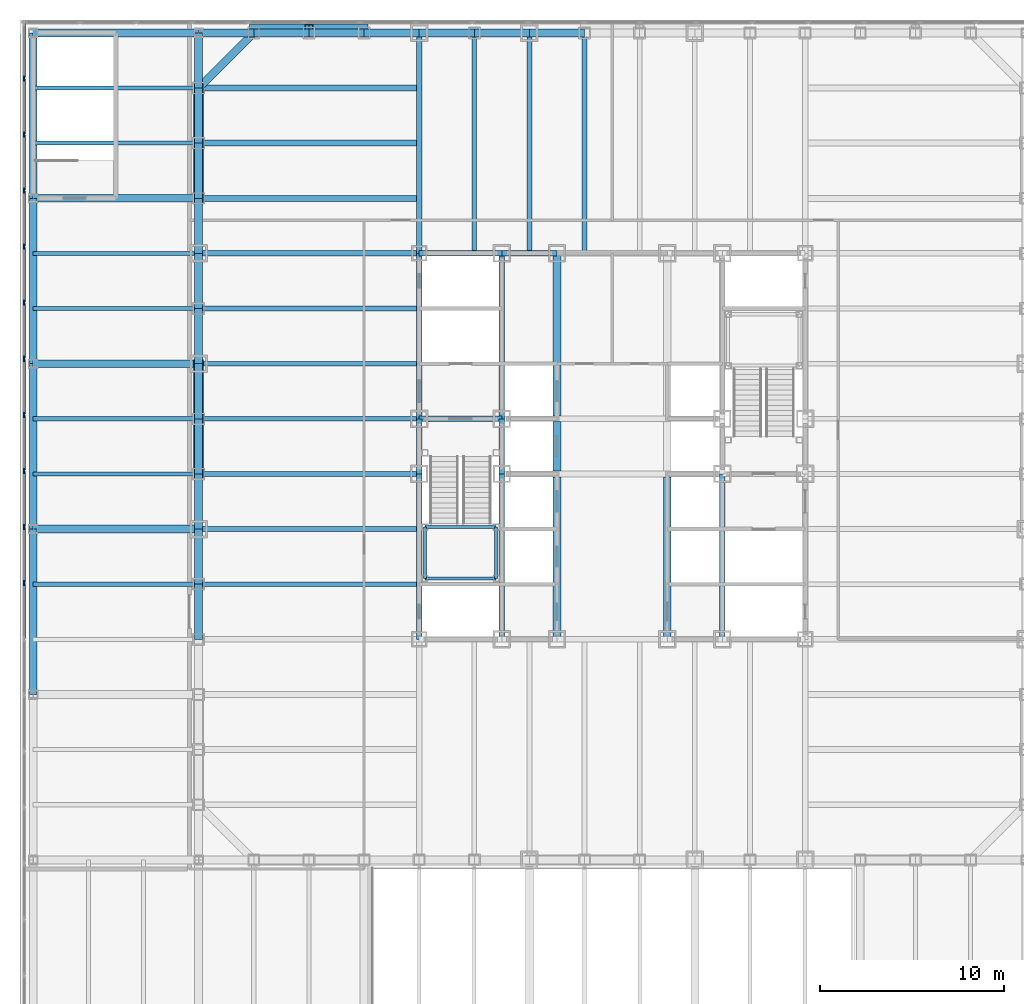
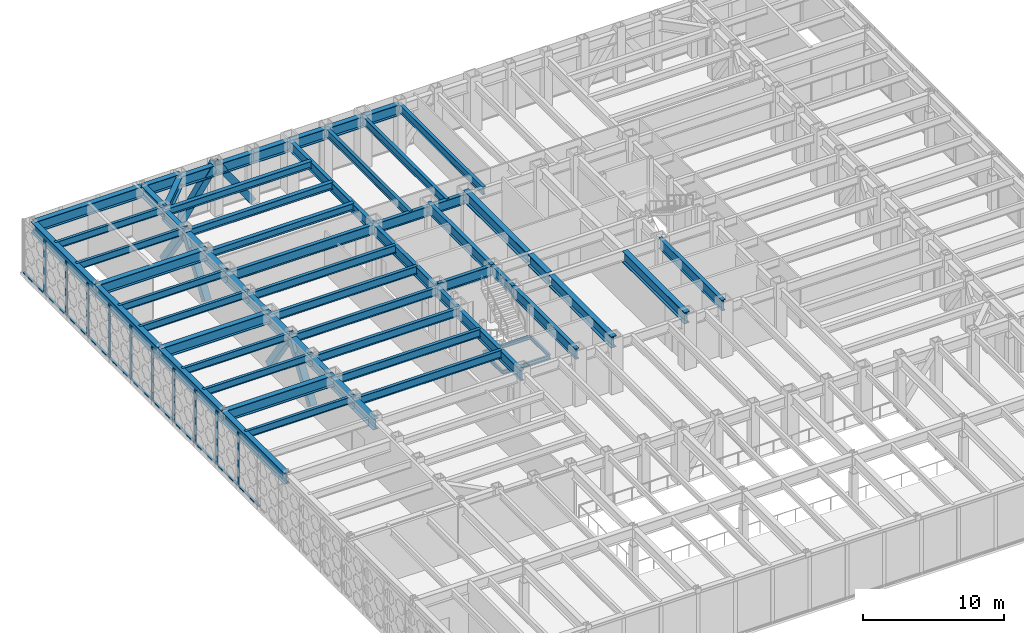
# One storey, part 6 of 24: 66 beams, 27 members, 1 element without a shape of its own.
"""IFC4 building model written with IfcOpenShell, lengths in metres."""

from ifc_helpers import new_model, si_unit, direction, frame, origin, origin_2d, place, context, subcontext, project, spatial, rectangle, hollow_rectangle, i_section, extrude, material, layer, layer_set, material_profile, profile_set, type_object, element, aggregate, save


model = new_model("IFC4")

# Units and contexts
model_context = context("Model", 3, precision=1e-05, world=origin(), true_north=direction((0.0, 1.0)))
body_context = subcontext(model_context, "Body", "Model", "MODEL_VIEW")
ifc_project = project(units=[si_unit("LENGTHUNIT", "METRE"), si_unit("AREAUNIT", "SQUARE_METRE"), si_unit("VOLUMEUNIT", "CUBIC_METRE"), si_unit("PLANEANGLEUNIT", "RADIAN"), si_unit("MASSUNIT", "GRAM", prefix="KILO")], contexts=[model_context])

# Site, building, storey
site_placement = place(None, origin())
site = spatial("IfcSite", under=ifc_project, at=site_placement, CompositionType="ELEMENT")
building_placement = place(site_placement, origin())
building = spatial("IfcBuilding", under=site, at=building_placement, Name="Chuquiago Exchange Tower", CompositionType="ELEMENT")
storey_placement = place(building_placement, frame((0.0, 0.0, 19.5)))
storey = spatial("IfcBuildingStorey", under=building, at=storey_placement, Name="L03", CompositionType="ELEMENT", Elevation=19.5)

# Beams
ifc_material_1 = material(Name="Steel ASTM A992", Category="steel")
ifc_material_profile_1 = material_profile(ifc_material_1, i_section(OverallWidth=0.307373046875, OverallDepth=0.927001953125, WebThickness=0.01953125, FlangeThickness=0.031982421875, at=origin_2d()), Name="W36X194")
ifc_profile_set_1 = profile_set([ifc_material_profile_1], Name="Steel ASTM A992")
beam_type_1 = type_object("IfcBeamType", Name="B10 W36X194", PredefinedType="BEAM", material=ifc_profile_set_1)
for number, where, z_axis, x_axis, name in (
    (1, (12.0, 12.0, 3.87646484375), (0.0, 1.0, 0.0), (-1.0, 0.0, 0.0), "CB-L04-12_12-12_21"),
    (2, (12.0, 24.0, 3.87646484375), (0.0, 1.0, 0.0), (-1.0, 0.0, 0.0), "CB-L04-12_24-12_33"),
    (3, (16.5, 12.0, 4.176513671875), (0.0, 1.0, 0.0), (-1.0, 0.0, 0.0), "CB-L04-16.5_12-16.5_21"),
    (4, (16.5, 24.0, 4.176513671875), (0.0, 1.0, 0.0), (-1.0, 0.0, 0.0), "CB-L04-16.5_24-16.5_33"),
    (5, (28.5, 12.0, 4.176513671875), (0.0, 1.0, 0.0), (-1.0, 0.0, 0.0), "CB-L04-28.5_12-28.5_21"),
):
    element("IfcBeam", number, at=place(storey_placement, frame(where, z_axis=z_axis, x_axis=x_axis)), inside=storey, type_object=beam_type_1, Name=name, PredefinedType="BEAM", context=body_context, shape_type="SweptSolid", body=[
        extrude(i_section(OverallWidth=0.307373046875, OverallDepth=0.927001953125, WebThickness=0.01953125, FlangeThickness=0.031982421875, at=origin_2d()), origin(), (0.0, 0.0, 1.0), 9.0),
    ])
ifc_material_2 = material(Name="Steel ASTM A992", Category="steel")
ifc_material_profile_2 = material_profile(ifc_material_2, i_section(OverallWidth=0.4267578125, OverallDepth=0.975341796875, WebThickness=0.031005859375, FlangeThickness=0.055908203125, at=origin_2d()), Name="W36X395")
ifc_profile_set_2 = profile_set([ifc_material_profile_2], Name="Steel ASTM A992")
beam_type_2 = type_object("IfcBeamType", Name="B12 W36X395", PredefinedType="BEAM", material=ifc_profile_set_2)
beam_1_placement = place(storey_placement, frame((19.5, 12.0, 4.15234375), z_axis=(0.0, 1.0, 0.0), x_axis=(-1.0, 0.0, 0.0)))
element("IfcBeam", 6, at=beam_1_placement, inside=storey, type_object=beam_type_2, Name="CB-L04-19.5_12-19.5_20.8451", PredefinedType="BEAM", context=body_context, shape_type="SweptSolid", body=[
    extrude(i_section(OverallWidth=0.4267578125, OverallDepth=0.975341796875, WebThickness=0.031005859375, FlangeThickness=0.055908203125, at=origin_2d()), origin(), (0.0, 0.0, 1.0), 8.84521484375),
])
beam_2_placement = place(storey_placement, frame((19.5, 21.15478515625, 4.15234375), z_axis=(0.0, 1.0, 0.0), x_axis=(-1.0, 0.0, 0.0)))
element("IfcBeam", 7, at=beam_2_placement, inside=storey, type_object=beam_type_2, Name="CB-L04-19.5_21.1549-19.5_23.8451", PredefinedType="BEAM", context=body_context, shape_type="SweptSolid", body=[
    extrude(i_section(OverallWidth=0.4267578125, OverallDepth=0.975341796875, WebThickness=0.031005859375, FlangeThickness=0.055908203125, at=origin_2d()), origin(), (0.0, 0.0, 1.0), 2.6904296875),
])
for number, where, z_axis, x_axis, name in (
    (8, (19.5, 24.15478515625, 4.15234375), (0.0, 1.0, 0.0), (-1.0, 0.0, 0.0), "CB-L04-19.5_24.1549-19.5_33"),
    (9, (25.5, 12.0, 4.15234375), (0.0, 1.0, 0.0), (-1.0, 0.0, 0.0), "CB-L04-25.5_12-25.5_20.8451"),
):
    element("IfcBeam", number, at=place(storey_placement, frame(where, z_axis=z_axis, x_axis=x_axis)), inside=storey, type_object=beam_type_2, Name=name, PredefinedType="BEAM", context=body_context, shape_type="SweptSolid", body=[
        extrude(i_section(OverallWidth=0.4267578125, OverallDepth=0.975341796875, WebThickness=0.031005859375, FlangeThickness=0.055908203125, at=origin_2d()), origin(), (0.0, 0.0, 1.0), 8.84521484375),
    ])
ifc_material_3 = material(Name="Steel ASTM A992", Category="steel")
ifc_material_profile_3 = material_profile(ifc_material_3, i_section(OverallWidth=0.2919921875, OverallDepth=0.8583984375, WebThickness=0.01708984375, FlangeThickness=0.031005859375, at=origin_2d()), Name="W33X169")
ifc_profile_set_3 = profile_set([ifc_material_profile_3], Name="Steel ASTM A992")
beam_type_3 = type_object("IfcBeamType", Name="B3 W33X169", PredefinedType="BEAM", material=ifc_profile_set_3)
for number, where, z_axis, x_axis, name in (
    (10, (12.0, 21.0, 3.91064453125), (0.0, 1.0, 0.0), (-1.0, 0.0, 0.0), "CB-L04-12_21-12_24"),
    (11, (16.5, 21.0, 4.210693359375), (0.0, 1.0, 0.0), (-1.0, 0.0, 0.0), "CB-L04-16.5_21-16.5_24"),
):
    element("IfcBeam", number, at=place(storey_placement, frame(where, z_axis=z_axis, x_axis=x_axis)), inside=storey, type_object=beam_type_3, Name=name, PredefinedType="BEAM", context=body_context, shape_type="SweptSolid", body=[
        extrude(i_section(OverallWidth=0.2919921875, OverallDepth=0.8583984375, WebThickness=0.01708984375, FlangeThickness=0.031005859375, at=origin_2d()), origin(), (0.0, 0.0, 1.0), 3.0),
    ])
for number, where, z_axis, x_axis, name in (
    (12, (12.0, 24.0, 4.210693359375), (1.0, 0.0, 0.0), (0.0, 1.0, 0.0), "CB-L04-12_24-16.5_24"),
    (13, (12.0, 33.0, 3.91064453125), (1.0, 0.0, 0.0), (0.0, 1.0, 0.0), "CB-L04-12_33-16.5_33"),
):
    element("IfcBeam", number, at=place(storey_placement, frame(where, z_axis=z_axis, x_axis=x_axis)), inside=storey, type_object=beam_type_3, Name=name, PredefinedType="BEAM", context=body_context, shape_type="SweptSolid", body=[
        extrude(i_section(OverallWidth=0.2919921875, OverallDepth=0.8583984375, WebThickness=0.01708984375, FlangeThickness=0.031005859375, at=origin_2d()), origin(), (0.0, 0.0, 1.0), 4.5),
    ])
beam_3_placement = place(storey_placement, frame((16.5, 33.0, 3.91064453125), z_axis=(1.0, 0.0, 0.0), x_axis=(0.0, 1.0, 0.0)))
element("IfcBeam", 14, at=beam_3_placement, inside=storey, type_object=beam_type_3, Name="CB-L04-16.5_33-19.5_33", PredefinedType="BEAM", context=body_context, shape_type="SweptSolid", body=[
    extrude(i_section(OverallWidth=0.2919921875, OverallDepth=0.8583984375, WebThickness=0.01708984375, FlangeThickness=0.031005859375, at=origin_2d()), origin(), (0.0, 0.0, 1.0), 3.0),
])
ifc_material_4 = material(Name="Steel ASTM A992", Category="steel")
ifc_material_profile_4 = material_profile(ifc_material_4, i_section(OverallWidth=0.256591796875, OverallDepth=0.693359375, WebThickness=0.014404296875, FlangeThickness=0.023681640625, at=origin_2d()), Name="W27X114")
ifc_profile_set_4 = profile_set([ifc_material_profile_4], Name="Steel ASTM A992")
beam_type_4 = type_object("IfcBeamType", Name="B4 W27X114", PredefinedType="BEAM", material=ifc_profile_set_4)
for number, where, z_axis, x_axis, name in (
    (15, (15.0, 33.0, 3.993408203125), (0.0, 1.0, 0.0), (-1.0, 0.0, 0.0), "FB-L04-infill-15_33-15_45-0"),
    (16, (18.0, 33.0, 3.993408203125), (0.0, 1.0, 0.0), (-1.0, 0.0, 0.0), "FB-L04-infill-18_33-18_45-0"),
    (17, (21.0, 33.0, 3.993408203125), (0.0, 1.0, 0.0), (-1.0, 0.0, 0.0), "FB-L04-infill-21_33-21_45-0"),
    (18, (12.0, 15.0, 3.993408203125), (-1.0, 0.0, 0.0), (0.0, -1.0, 0.0), "FB-L04-infill-12_15--0_15-0"),
    (19, (12.0, 18.0, 3.993408203125), (-1.0, 0.0, 0.0), (0.0, -1.0, 0.0), "FB-L04-infill-12_18--0_18-0"),
    (20, (12.0, 21.0, 3.993408203125), (-1.0, 0.0, 0.0), (0.0, -1.0, 0.0), "FB-L04-infill-12_21--0_21-0"),
    (21, (12.0, 24.0, 3.993408203125), (-1.0, 0.0, 0.0), (0.0, -1.0, 0.0), "FB-L04-infill-12_24--0_24-0"),
    (22, (12.0, 27.0, 3.993408203125), (-1.0, 0.0, 0.0), (0.0, -1.0, 0.0), "FB-L04-infill-12_27--0_27-0"),
    (23, (12.0, 30.0, 3.993408203125), (-1.0, 0.0, 0.0), (0.0, -1.0, 0.0), "FB-L04-infill-12_30--0_30-0"),
):
    element("IfcBeam", number, at=place(storey_placement, frame(where, z_axis=z_axis, x_axis=x_axis)), inside=storey, type_object=beam_type_4, Name=name, PredefinedType="BEAM", context=body_context, shape_type="SweptSolid", body=[
        extrude(i_section(OverallWidth=0.256591796875, OverallDepth=0.693359375, WebThickness=0.014404296875, FlangeThickness=0.023681640625, at=origin_2d()), origin(), (0.0, 0.0, 1.0), 12.0),
    ])
ifc_material_5 = material(Name="Steel ASTM A992", Category="steel")
ifc_material_profile_5 = material_profile(ifc_material_5, i_section(OverallWidth=0.3251953125, OverallDepth=0.6171875, WebThickness=0.013916015625, FlangeThickness=0.021484375, at=origin_2d()), Name="W24X117")
ifc_profile_set_5 = profile_set([ifc_material_profile_5], Name="Steel ASTM A992")
beam_type_5 = type_object("IfcBeamType", Name="B5 W24X117", PredefinedType="BEAM", material=ifc_profile_set_5)
for number, where, z_axis, x_axis, name in (
    (24, (12.0, 36.0, 4.031494140625), (-1.0, 0.0, 0.0), (0.0, -1.0, 0.0), "FB-L04-corner-12_36--0_36-0"),
    (25, (12.0, 39.0, 4.031494140625), (-1.0, 0.0, 0.0), (0.0, -1.0, 0.0), "FB-L04-corner-12_39--0_39-0"),
    (26, (12.0, 42.0, 4.031494140625), (-1.0, 0.0, 0.0), (0.0, -1.0, 0.0), "FB-L04-corner-12_42--0_42-0"),
):
    element("IfcBeam", number, at=place(storey_placement, frame(where, z_axis=z_axis, x_axis=x_axis)), inside=storey, type_object=beam_type_5, Name=name, PredefinedType="BEAM", context=body_context, shape_type="SweptSolid", body=[
        extrude(i_section(OverallWidth=0.3251953125, OverallDepth=0.6171875, WebThickness=0.013916015625, FlangeThickness=0.021484375, at=origin_2d()), origin(), (0.0, 0.0, 1.0), 12.0),
    ])

# Curtain wall, members
ifc_material_6 = material(Name="Aluminium curtain wall system", Category="aluminium")
ifc_layer = layer(ifc_material_6, 0.300048828125)
ifc_layer_set = layer_set([ifc_layer], Name="CW4 podium curtain wall")
curtain_wall_type = type_object("IfcCurtainWallType", Name="CW4 podium curtain wall", PredefinedType="NOTDEFINED", material=ifc_layer_set)
curtain_wall_placement = place(storey_placement, origin())
curtain_wall = element("IfcCurtainWall", 27, at=curtain_wall_placement, inside=storey, type_object=curtain_wall_type, Name="CW4 curtain wall L03", PredefinedType="NOTDEFINED")
ifc_material_7 = material(Name="Aluminium mullion, pale anodised", Category="aluminium")
ifc_material_profile_6 = material_profile(ifc_material_7, rectangle(XDim=0.074951171875, YDim=0.300048828125, at=origin_2d()), Name="AL 75x300")
ifc_profile_set_6 = profile_set([ifc_material_profile_6], Name="Aluminium mullion, pale anodised")
member_type_1 = type_object("IfcMemberType", Name="CW4-M mullion 75x300", PredefinedType="MULLION", material=ifc_profile_set_6)
member_1_placement = place(storey_placement, frame((-9.5, 42.52392578125, 0.0), z_axis=(0.0, 0.0, 1.0), x_axis=(1.0, 0.0, 0.0)))
member_1 = element("IfcMember", 28, at=member_1_placement, type_object=member_type_1, Name="CW4 mullion 2", PredefinedType="MULLION", context=body_context, shape_type="SweptSolid", body=[
    extrude(rectangle(XDim=0.074951171875, YDim=0.300048828125, at=origin_2d()), origin(), (0.0, 0.0, 1.0), 4.60009765625),
])
member_2_placement = place(storey_placement, frame((-9.5, 39.47265625, 0.0), z_axis=(0.0, 0.0, 1.0), x_axis=(1.0, 0.0, 0.0)))
member_2 = element("IfcMember", 29, at=member_2_placement, type_object=member_type_1, Name="CW4 mullion 3", PredefinedType="MULLION", context=body_context, shape_type="SweptSolid", body=[
    extrude(rectangle(XDim=0.074951171875, YDim=0.300048828125, at=origin_2d()), origin(), (0.0, 0.0, 1.0), 4.60009765625),
])
member_3_placement = place(storey_placement, frame((-9.5, 36.42138671875, 0.0), z_axis=(0.0, 0.0, 1.0), x_axis=(1.0, 0.0, 0.0)))
member_3 = element("IfcMember", 30, at=member_3_placement, type_object=member_type_1, Name="CW4 mullion 4", PredefinedType="MULLION", context=body_context, shape_type="SweptSolid", body=[
    extrude(rectangle(XDim=0.074951171875, YDim=0.300048828125, at=origin_2d()), origin(), (0.0, 0.0, 1.0), 4.60009765625),
])
member_4_placement = place(storey_placement, frame((-9.5, 33.3701171875, 0.0), z_axis=(0.0, 0.0, 1.0), x_axis=(1.0, 0.0, 0.0)))
member_4 = element("IfcMember", 31, at=member_4_placement, type_object=member_type_1, Name="CW4 mullion 5", PredefinedType="MULLION", context=body_context, shape_type="SweptSolid", body=[
    extrude(rectangle(XDim=0.074951171875, YDim=0.300048828125, at=origin_2d()), origin(), (0.0, 0.0, 1.0), 4.60009765625),
])
member_5_placement = place(storey_placement, frame((-9.5, 30.319091796875, 0.0), z_axis=(0.0, 0.0, 1.0), x_axis=(1.0, 0.0, 0.0)))
member_5 = element("IfcMember", 32, at=member_5_placement, type_object=member_type_1, Name="CW4 mullion 6", PredefinedType="MULLION", context=body_context, shape_type="SweptSolid", body=[
    extrude(rectangle(XDim=0.074951171875, YDim=0.300048828125, at=origin_2d()), origin(), (0.0, 0.0, 1.0), 4.60009765625),
])
member_6_placement = place(storey_placement, frame((-9.5, 27.267822265625, 0.0), z_axis=(0.0, 0.0, 1.0), x_axis=(1.0, 0.0, 0.0)))
member_6 = element("IfcMember", 33, at=member_6_placement, type_object=member_type_1, Name="CW4 mullion 7", PredefinedType="MULLION", context=body_context, shape_type="SweptSolid", body=[
    extrude(rectangle(XDim=0.074951171875, YDim=0.300048828125, at=origin_2d()), origin(), (0.0, 0.0, 1.0), 4.60009765625),
])
member_7_placement = place(storey_placement, frame((-9.5, 24.216552734375, 0.0), z_axis=(0.0, 0.0, 1.0), x_axis=(1.0, 0.0, 0.0)))
member_7 = element("IfcMember", 34, at=member_7_placement, type_object=member_type_1, Name="CW4 mullion 8", PredefinedType="MULLION", context=body_context, shape_type="SweptSolid", body=[
    extrude(rectangle(XDim=0.074951171875, YDim=0.300048828125, at=origin_2d()), origin(), (0.0, 0.0, 1.0), 4.60009765625),
])
member_8_placement = place(storey_placement, frame((-9.5, 21.16552734375, 0.0), z_axis=(0.0, 0.0, 1.0), x_axis=(1.0, 0.0, 0.0)))
member_8 = element("IfcMember", 35, at=member_8_placement, type_object=member_type_1, Name="CW4 mullion 9", PredefinedType="MULLION", context=body_context, shape_type="SweptSolid", body=[
    extrude(rectangle(XDim=0.074951171875, YDim=0.300048828125, at=origin_2d()), origin(), (0.0, 0.0, 1.0), 4.60009765625),
])
member_9_placement = place(storey_placement, frame((-9.5, 18.1142578125, 0.0), z_axis=(0.0, 0.0, 1.0), x_axis=(1.0, 0.0, 0.0)))
member_9 = element("IfcMember", 36, at=member_9_placement, type_object=member_type_1, Name="CW4 mullion 10", PredefinedType="MULLION", context=body_context, shape_type="SweptSolid", body=[
    extrude(rectangle(XDim=0.074951171875, YDim=0.300048828125, at=origin_2d()), origin(), (0.0, 0.0, 1.0), 4.60009765625),
])
member_10_placement = place(storey_placement, frame((-9.5, 15.06298828125, 0.0), z_axis=(0.0, 0.0, 1.0), x_axis=(1.0, 0.0, 0.0)))
member_10 = element("IfcMember", 37, at=member_10_placement, type_object=member_type_1, Name="CW4 mullion 11", PredefinedType="MULLION", context=body_context, shape_type="SweptSolid", body=[
    extrude(rectangle(XDim=0.074951171875, YDim=0.300048828125, at=origin_2d()), origin(), (0.0, 0.0, 1.0), 4.60009765625),
])
ifc_material_8 = material(Name="Aluminium transom, pale anodised", Category="aluminium")
ifc_material_profile_7 = material_profile(ifc_material_8, rectangle(XDim=0.179931640625, YDim=0.074951171875, at=origin_2d()), Name="AL 180x75")
ifc_profile_set_7 = profile_set([ifc_material_profile_7], Name="Aluminium transom, pale anodised")
member_type_2 = type_object("IfcMemberType", Name="CW4-T transom 75x180", PredefinedType="MULLION", material=ifc_profile_set_7)
member_11_placement = place(storey_placement, frame((-9.5, 45.5, 0.03759765625), z_axis=(0.0, -1.0, 0.0), x_axis=(1.0, 0.0, 0.0)))
member_11 = element("IfcMember", 38, at=member_11_placement, type_object=member_type_2, Name="CW4 transom 1.1", PredefinedType="MULLION", context=body_context, shape_type="SweptSolid", body=[
    extrude(rectangle(XDim=0.179931640625, YDim=0.074951171875, at=origin_2d()), origin(), (0.0, 0.0, 1.0), 2.938720703125),
])
member_12_placement = place(storey_placement, frame((-9.5, 42.486328125, 0.03759765625), z_axis=(0.0, -1.0, 0.0), x_axis=(1.0, 0.0, 0.0)))
member_12 = element("IfcMember", 39, at=member_12_placement, type_object=member_type_2, Name="CW4 transom 2.1", PredefinedType="MULLION", context=body_context, shape_type="SweptSolid", body=[
    extrude(rectangle(XDim=0.179931640625, YDim=0.074951171875, at=origin_2d()), origin(), (0.0, 0.0, 1.0), 2.976318359375),
])
member_13_placement = place(storey_placement, frame((-9.5, 39.43505859375, 0.03759765625), z_axis=(0.0, -1.0, 0.0), x_axis=(1.0, 0.0, 0.0)))
member_13 = element("IfcMember", 40, at=member_13_placement, type_object=member_type_2, Name="CW4 transom 3.1", PredefinedType="MULLION", context=body_context, shape_type="SweptSolid", body=[
    extrude(rectangle(XDim=0.179931640625, YDim=0.074951171875, at=origin_2d()), origin(), (0.0, 0.0, 1.0), 2.97607421875),
])
member_14_placement = place(storey_placement, frame((-9.5, 36.384033203125, 0.03759765625), z_axis=(0.0, -1.0, 0.0), x_axis=(1.0, 0.0, 0.0)))
member_14 = element("IfcMember", 41, at=member_14_placement, type_object=member_type_2, Name="CW4 transom 4.1", PredefinedType="MULLION", context=body_context, shape_type="SweptSolid", body=[
    extrude(rectangle(XDim=0.179931640625, YDim=0.074951171875, at=origin_2d()), origin(), (0.0, 0.0, 1.0), 2.976318359375),
])
member_15_placement = place(storey_placement, frame((-9.5, 33.332763671875, 0.03759765625), z_axis=(0.0, -1.0, 0.0), x_axis=(1.0, 0.0, 0.0)))
member_15 = element("IfcMember", 42, at=member_15_placement, type_object=member_type_2, Name="CW4 transom 5.1", PredefinedType="MULLION", context=body_context, shape_type="SweptSolid", body=[
    extrude(rectangle(XDim=0.179931640625, YDim=0.074951171875, at=origin_2d()), origin(), (0.0, 0.0, 1.0), 2.976318359375),
])
member_16_placement = place(storey_placement, frame((-9.5, 30.281494140625, 0.03759765625), z_axis=(0.0, -1.0, 0.0), x_axis=(1.0, 0.0, 0.0)))
member_16 = element("IfcMember", 43, at=member_16_placement, type_object=member_type_2, Name="CW4 transom 6.1", PredefinedType="MULLION", context=body_context, shape_type="SweptSolid", body=[
    extrude(rectangle(XDim=0.179931640625, YDim=0.074951171875, at=origin_2d()), origin(), (0.0, 0.0, 1.0), 2.97607421875),
])
member_17_placement = place(storey_placement, frame((-9.5, 27.23046875, 0.03759765625), z_axis=(0.0, -1.0, 0.0), x_axis=(1.0, 0.0, 0.0)))
member_17 = element("IfcMember", 44, at=member_17_placement, type_object=member_type_2, Name="CW4 transom 7.1", PredefinedType="MULLION", context=body_context, shape_type="SweptSolid", body=[
    extrude(rectangle(XDim=0.179931640625, YDim=0.074951171875, at=origin_2d()), origin(), (0.0, 0.0, 1.0), 2.976318359375),
])
member_18_placement = place(storey_placement, frame((-9.5, 24.17919921875, 0.03759765625), z_axis=(0.0, -1.0, 0.0), x_axis=(1.0, 0.0, 0.0)))
member_18 = element("IfcMember", 45, at=member_18_placement, type_object=member_type_2, Name="CW4 transom 8.1", PredefinedType="MULLION", context=body_context, shape_type="SweptSolid", body=[
    extrude(rectangle(XDim=0.179931640625, YDim=0.074951171875, at=origin_2d()), origin(), (0.0, 0.0, 1.0), 2.976318359375),
])
member_19_placement = place(storey_placement, frame((-9.5, 21.1279296875, 0.03759765625), z_axis=(0.0, -1.0, 0.0), x_axis=(1.0, 0.0, 0.0)))
member_19 = element("IfcMember", 46, at=member_19_placement, type_object=member_type_2, Name="CW4 transom 9.1", PredefinedType="MULLION", context=body_context, shape_type="SweptSolid", body=[
    extrude(rectangle(XDim=0.179931640625, YDim=0.074951171875, at=origin_2d()), origin(), (0.0, 0.0, 1.0), 2.97607421875),
])
member_20_placement = place(storey_placement, frame((-9.5, 18.076904296875, 0.03759765625), z_axis=(0.0, -1.0, 0.0), x_axis=(1.0, 0.0, 0.0)))
member_20 = element("IfcMember", 47, at=member_20_placement, type_object=member_type_2, Name="CW4 transom 10.1", PredefinedType="MULLION", context=body_context, shape_type="SweptSolid", body=[
    extrude(rectangle(XDim=0.179931640625, YDim=0.074951171875, at=origin_2d()), origin(), (0.0, 0.0, 1.0), 2.976318359375),
])
member_21_placement = place(storey_placement, frame((-9.5, 15.025634765625, 0.03759765625), z_axis=(0.0, -1.0, 0.0), x_axis=(1.0, 0.0, 0.0)))
member_21 = element("IfcMember", 48, at=member_21_placement, type_object=member_type_2, Name="CW4 transom 11.1", PredefinedType="MULLION", context=body_context, shape_type="SweptSolid", body=[
    extrude(rectangle(XDim=0.179931640625, YDim=0.074951171875, at=origin_2d()), origin(), (0.0, 0.0, 1.0), 2.976318359375),
])
aggregate(curtain_wall, [member_1, member_2, member_3, member_4, member_5, member_6, member_7, member_8, member_9, member_10, member_11, member_12, member_13, member_14, member_15, member_16, member_17, member_18, member_19, member_20, member_21])

# Beams
ifc_material_9 = material(Name="Steel ASTM A992", Category="steel")
ifc_material_profile_8 = material_profile(ifc_material_9, i_section(OverallWidth=0.2919921875, OverallDepth=0.8583984375, WebThickness=0.01708984375, FlangeThickness=0.031005859375, at=origin_2d()), Name="W33X169")
ifc_profile_set_8 = profile_set([ifc_material_profile_8], Name="Steel ASTM A992")
beam_type_6 = type_object("IfcBeamType", Name="G2 W33X169", PredefinedType="BEAM", material=ifc_profile_set_8)
for number, where, z_axis, x_axis, name in (
    (49, (12.0, 33.0, 3.91064453125), (0.0, 1.0, 0.0), (-1.0, 0.0, 0.0), "FB-L04-girder-12_33-12_45-0"),
    (50, (12.0, 33.0, 3.91064453125), (-1.0, 0.0, 0.0), (0.0, -1.0, 0.0), "FB-L04-girder-12_33--0_33-0"),
):
    element("IfcBeam", number, at=place(storey_placement, frame(where, z_axis=z_axis, x_axis=x_axis)), inside=storey, type_object=beam_type_6, Name=name, PredefinedType="BEAM", context=body_context, shape_type="SweptSolid", body=[
        extrude(i_section(OverallWidth=0.2919921875, OverallDepth=0.8583984375, WebThickness=0.01708984375, FlangeThickness=0.031005859375, at=origin_2d()), origin(), (0.0, 0.0, 1.0), 12.0),
    ])
ifc_material_10 = material(Name="Steel ASTM A992", Category="steel")
ifc_material_profile_9 = material_profile(ifc_material_10, i_section(OverallWidth=0.164794921875, OverallDepth=0.309814453125, WebThickness=0.005859375, FlangeThickness=0.009765625, at=origin_2d()), Name="W12X26")
ifc_profile_set_9 = profile_set([ifc_material_profile_9], Name="Steel ASTM A992")
beam_type_7 = type_object("IfcBeamType", Name="LS1 W12X26", PredefinedType="BEAM", material=ifc_profile_set_9)
for number, where, z_axis, x_axis, name in (
    (51, (12.31005859375, 15.31005859375, 2.045166015625), (0.0, 1.0, 0.0), (-1.0, 0.0, 0.0), "Stair ST1 L03 landing 1 stringer"),
    (52, (16.18994140625, 15.31005859375, 2.045166015625), (0.0, 1.0, 0.0), (-1.0, 0.0, 0.0), "Stair ST1 L03 landing 1 stringer"),
):
    element("IfcBeam", number, at=place(storey_placement, frame(where, z_axis=z_axis, x_axis=x_axis)), inside=storey, type_object=beam_type_7, Name=name, PredefinedType="BEAM", context=body_context, shape_type="SweptSolid", body=[
        extrude(i_section(OverallWidth=0.164794921875, OverallDepth=0.309814453125, WebThickness=0.005859375, FlangeThickness=0.009765625, at=origin_2d()), origin(), (0.0, 0.0, 1.0), 2.800048828125),
    ])
ifc_material_11 = material(Name="Steel ASTM A992", Category="steel")
ifc_material_profile_10 = material_profile(ifc_material_11, i_section(OverallWidth=0.164794921875, OverallDepth=0.309814453125, WebThickness=0.005859375, FlangeThickness=0.009765625, at=origin_2d()), Name="W12X26")
ifc_profile_set_10 = profile_set([ifc_material_profile_10], Name="Steel ASTM A992")
beam_type_8 = type_object("IfcBeamType", Name="LT1 W12X26", PredefinedType="BEAM", material=ifc_profile_set_10)
for number, where, z_axis, x_axis, name in (
    (53, (12.31005859375, 15.31005859375, 2.045166015625), (1.0, 0.0, 0.0), (0.0, 1.0, 0.0), "Stair ST1 L03 landing 1 trimmer"),
    (54, (12.31005859375, 18.110107421875, 2.045166015625), (1.0, 0.0, 0.0), (0.0, 1.0, 0.0), "Stair ST1 L03 landing 1 trimmer"),
):
    element("IfcBeam", number, at=place(storey_placement, frame(where, z_axis=z_axis, x_axis=x_axis)), inside=storey, type_object=beam_type_8, Name=name, PredefinedType="BEAM", context=body_context, shape_type="SweptSolid", body=[
        extrude(i_section(OverallWidth=0.164794921875, OverallDepth=0.309814453125, WebThickness=0.005859375, FlangeThickness=0.009765625, at=origin_2d()), origin(), (0.0, 0.0, 1.0), 3.8798828125),
    ])

# Members
ifc_material_12 = material(Name="Steel ASTM A572 Grade 50", Category="steel")
ifc_material_profile_11 = material_profile(ifc_material_12, hollow_rectangle(XDim=0.550048828125, YDim=0.550048828125, WallThickness=0.044921875, at=origin_2d()), Name="BOX550X550X45")
ifc_profile_set_11 = profile_set([ifc_material_profile_11], Name="Steel ASTM A572 Grade 50")
member_type_3 = type_object("IfcMemberType", Name="MB1 BOX550X550X45", PredefinedType="BRACE", material=ifc_profile_set_11)
for number, where, z_axis, x_axis, name in (
    (55, (9.0, 45.205078125, 0.0), (-0.568610676405, 0.0, 0.822606770382), (0.0, -1.0, 0.0), "Mega diagonal L03 N face"),
    (56, (3.0, 45.205078125, 0.0), (0.568610676405, 0.0, 0.822606770382), (0.0, 1.0, 0.0), "Mega diagonal L03 N face"),
    (57, (0.0, 42.0, 0.0), (0.0, -0.568610676405, 0.822606770382), (1.0, 0.0, 0.0), "Mega diagonal L03 W face"),
    (58, (0.0, 36.0, 0.0), (0.0, 0.568610676405, 0.822606770382), (-1.0, 0.0, 0.0), "Mega diagonal L03 W face"),
    (59, (0.0, 27.0, 0.0), (0.0, -0.568610676405, 0.822606770382), (1.0, 0.0, 0.0), "Mega diagonal L03 W face"),
    (60, (0.0, 21.0, 0.0), (0.0, 0.568610676405, 0.822606770382), (-1.0, 0.0, 0.0), "Mega diagonal L03 W face"),
):
    element("IfcMember", number, at=place(storey_placement, frame(where, z_axis=z_axis, x_axis=x_axis)), inside=storey, type_object=member_type_3, Name=name, PredefinedType="BRACE", context=body_context, shape_type="SweptSolid", body=[
        extrude(hollow_rectangle(XDim=0.550048828125, YDim=0.550048828125, WallThickness=0.044921875, at=origin_2d()), origin(), (0.0, 0.0, 1.0), 5.276123046875),
    ])

# Beams
ifc_material_13 = material(Name="Steel ASTM A992", Category="steel")
ifc_material_profile_12 = material_profile(ifc_material_13, i_section(OverallWidth=0.227783203125, OverallDepth=0.60205078125, WebThickness=0.010498046875, FlangeThickness=0.014892578125, at=origin_2d()), Name="W24X68")
ifc_profile_set_12 = profile_set([ifc_material_profile_12], Name="Steel ASTM A992")
beam_type_9 = type_object("IfcBeamType", Name="PB1 W24X68", PredefinedType="BEAM", material=ifc_profile_set_12)
for number, where, z_axis, x_axis, name in (
    (61, (-9.0, 15.0, 4.299072265625), (1.0, 0.0, 0.0), (0.0, 1.0, 0.0), "PB-L04--9_15"),
    (62, (-9.0, 21.0, 4.299072265625), (1.0, 0.0, 0.0), (0.0, 1.0, 0.0), "PB-L04--9_21"),
    (63, (-9.0, 24.0, 4.299072265625), (1.0, 0.0, 0.0), (0.0, 1.0, 0.0), "PB-L04--9_24"),
    (64, (-9.0, 30.0, 4.299072265625), (1.0, 0.0, 0.0), (0.0, 1.0, 0.0), "PB-L04--9_30"),
    (65, (-9.0, 33.0, 4.299072265625), (1.0, 0.0, 0.0), (0.0, 1.0, 0.0), "PB-L04--9_33"),
    (66, (-9.0, 39.0, 4.299072265625), (1.0, 0.0, 0.0), (0.0, 1.0, 0.0), "PB-L04--9_39"),
    (67, (-9.0, 42.0, 4.299072265625), (1.0, 0.0, 0.0), (0.0, 1.0, 0.0), "PB-L04--9_42"),
):
    element("IfcBeam", number, at=place(storey_placement, frame(where, z_axis=z_axis, x_axis=x_axis)), inside=storey, type_object=beam_type_9, Name=name, PredefinedType="BEAM", context=body_context, shape_type="SweptSolid", body=[
        extrude(i_section(OverallWidth=0.227783203125, OverallDepth=0.60205078125, WebThickness=0.010498046875, FlangeThickness=0.014892578125, at=origin_2d()), origin(), (0.0, 0.0, 1.0), 9.0),
    ])
ifc_material_14 = material(Name="Steel ASTM A992", Category="steel")
ifc_material_profile_13 = material_profile(ifc_material_14, i_section(OverallWidth=0.424072265625, OverallDepth=0.947509765625, WebThickness=0.02392578125, FlangeThickness=0.042724609375, at=origin_2d()), Name="W36X302")
ifc_profile_set_13 = profile_set([ifc_material_profile_13], Name="Steel ASTM A992")
beam_type_10 = type_object("IfcBeamType", Name="PG1 W36X302", PredefinedType="BEAM", material=ifc_profile_set_13)
for number, where, z_axis, x_axis, name in (
    (68, (-9.0, 9.0, 4.126220703125), (0.0, 1.0, 0.0), (-1.0, 0.0, 0.0), "PG-L04--9_9--9_18"),
    (69, (-9.0, 18.0, 4.126220703125), (0.0, 1.0, 0.0), (-1.0, 0.0, 0.0), "PG-L04--9_18--9_27"),
    (70, (-9.0, 27.0, 4.126220703125), (0.0, 1.0, 0.0), (-1.0, 0.0, 0.0), "PG-L04--9_27--9_36"),
    (71, (-9.0, 36.0, 4.126220703125), (0.0, 1.0, 0.0), (-1.0, 0.0, 0.0), "PG-L04--9_36--9_45"),
):
    element("IfcBeam", number, at=place(storey_placement, frame(where, z_axis=z_axis, x_axis=x_axis)), inside=storey, type_object=beam_type_10, Name=name, PredefinedType="BEAM", context=body_context, shape_type="SweptSolid", body=[
        extrude(i_section(OverallWidth=0.424072265625, OverallDepth=0.947509765625, WebThickness=0.02392578125, FlangeThickness=0.042724609375, at=origin_2d()), origin(), (0.0, 0.0, 1.0), 9.0),
    ])
beam_4_placement = place(storey_placement, frame((0.0, 42.0, 4.126220703125), z_axis=(0.0, 1.0, 0.0), x_axis=(-1.0, 0.0, 0.0)))
element("IfcBeam", 72, at=beam_4_placement, inside=storey, type_object=beam_type_10, Name="PG-L04-0_42-0_45", PredefinedType="BEAM", context=body_context, shape_type="SweptSolid", body=[
    extrude(i_section(OverallWidth=0.424072265625, OverallDepth=0.947509765625, WebThickness=0.02392578125, FlangeThickness=0.042724609375, at=origin_2d()), origin(), (0.0, 0.0, 1.0), 3.0),
])
for number, where, z_axis, x_axis, name in (
    (73, (-9.0, 18.0, 4.126220703125), (1.0, 0.0, 0.0), (0.0, 1.0, 0.0), "PG-L04--9_18-0_18"),
    (74, (-9.0, 27.0, 4.126220703125), (1.0, 0.0, 0.0), (0.0, 1.0, 0.0), "PG-L04--9_27-0_27"),
    (75, (-9.0, 36.0, 4.126220703125), (1.0, 0.0, 0.0), (0.0, 1.0, 0.0), "PG-L04--9_36-0_36"),
    (76, (-9.0, 45.0, 4.126220703125), (1.0, 0.0, 0.0), (0.0, 1.0, 0.0), "PG-L04--9_45-0_45"),
):
    element("IfcBeam", number, at=place(storey_placement, frame(where, z_axis=z_axis, x_axis=x_axis)), inside=storey, type_object=beam_type_10, Name=name, PredefinedType="BEAM", context=body_context, shape_type="SweptSolid", body=[
        extrude(i_section(OverallWidth=0.424072265625, OverallDepth=0.947509765625, WebThickness=0.02392578125, FlangeThickness=0.042724609375, at=origin_2d()), origin(), (0.0, 0.0, 1.0), 9.0),
    ])
beam_5_placement = place(storey_placement, frame((0.0, 45.0, 4.126220703125), z_axis=(1.0, 0.0, 0.0), x_axis=(0.0, 1.0, 0.0)))
element("IfcBeam", 77, at=beam_5_placement, inside=storey, type_object=beam_type_10, Name="PG-L04-0_45-3_45", PredefinedType="BEAM", context=body_context, shape_type="SweptSolid", body=[
    extrude(i_section(OverallWidth=0.424072265625, OverallDepth=0.947509765625, WebThickness=0.02392578125, FlangeThickness=0.042724609375, at=origin_2d()), origin(), (0.0, 0.0, 1.0), 3.0),
])
ifc_material_15 = material(Name="Steel ASTM A992", Category="steel")
ifc_material_profile_14 = material_profile(ifc_material_15, i_section(OverallWidth=0.424072265625, OverallDepth=0.947509765625, WebThickness=0.02392578125, FlangeThickness=0.042724609375, at=origin_2d()), Name="W36X302")
ifc_profile_set_14 = profile_set([ifc_material_profile_14], Name="Steel ASTM A992")
beam_type_11 = type_object("IfcBeamType", Name="SP1 W36X302", PredefinedType="SPANDREL", material=ifc_profile_set_14)
for number, where, z_axis, x_axis, name in (
    (78, (21.0, 45.0, 3.8662109375), (-1.0, 0.0, 0.0), (0.0, -1.0, 0.0), "SPB-L04-21_45-18_45"),
    (79, (18.0, 45.0, 3.8662109375), (-1.0, 0.0, 0.0), (0.0, -1.0, 0.0), "SPB-L04-18_45-15_45"),
    (80, (15.0, 45.0, 3.8662109375), (-1.0, 0.0, 0.0), (0.0, -1.0, 0.0), "SPB-L04-15_45-12_45"),
    (81, (12.0, 45.0, 3.8662109375), (-1.0, 0.0, 0.0), (0.0, -1.0, 0.0), "SPB-L04-12_45-9_45"),
    (82, (9.0, 45.0, 3.8662109375), (-1.0, 0.0, 0.0), (0.0, -1.0, 0.0), "SPB-L04-9_45-6_45"),
    (83, (6.0, 45.0, 3.8662109375), (-1.0, 0.0, 0.0), (0.0, -1.0, 0.0), "SPB-L04-6_45-3_45"),
):
    element("IfcBeam", number, at=place(storey_placement, frame(where, z_axis=z_axis, x_axis=x_axis)), inside=storey, type_object=beam_type_11, Name=name, PredefinedType="SPANDREL", context=body_context, shape_type="SweptSolid", body=[
        extrude(i_section(OverallWidth=0.424072265625, OverallDepth=0.947509765625, WebThickness=0.02392578125, FlangeThickness=0.042724609375, at=origin_2d()), origin(), (0.0, 0.0, 1.0), 3.0),
    ])
beam_6_placement = place(storey_placement, frame((3.0, 45.0, 3.8662109375), z_axis=(-0.707106781187, -0.707106781187, 0.0), x_axis=(0.707106781187, -0.707106781187, 0.0)))
element("IfcBeam", 84, at=beam_6_placement, inside=storey, type_object=beam_type_11, Name="SPB-L04-3_45-0_42", PredefinedType="SPANDREL", context=body_context, shape_type="SweptSolid", body=[
    extrude(i_section(OverallWidth=0.424072265625, OverallDepth=0.947509765625, WebThickness=0.02392578125, FlangeThickness=0.042724609375, at=origin_2d()), origin(), (0.0, 0.0, 1.0), 4.24267578125),
])
for number, where, z_axis, x_axis, name in (
    (85, (0.0, 42.0, 3.8662109375), (0.0, -1.0, 0.0), (1.0, 0.0, 0.0), "SPB-L04-0_42-0_39"),
    (86, (0.0, 39.0, 3.8662109375), (0.0, -1.0, 0.0), (1.0, 0.0, 0.0), "SPB-L04-0_39-0_36"),
    (87, (0.0, 36.0, 3.8662109375), (0.0, -1.0, 0.0), (1.0, 0.0, 0.0), "SPB-L04-0_36-0_33"),
    (88, (0.0, 33.0, 3.8662109375), (0.0, -1.0, 0.0), (1.0, 0.0, 0.0), "SPB-L04-0_33-0_30"),
    (89, (0.0, 30.0, 3.8662109375), (0.0, -1.0, 0.0), (1.0, 0.0, 0.0), "SPB-L04-0_30-0_27"),
    (90, (0.0, 27.0, 3.8662109375), (0.0, -1.0, 0.0), (1.0, 0.0, 0.0), "SPB-L04-0_27-0_24"),
    (91, (0.0, 24.0, 3.8662109375), (0.0, -1.0, 0.0), (1.0, 0.0, 0.0), "SPB-L04-0_24-0_21"),
    (92, (0.0, 21.0, 3.8662109375), (0.0, -1.0, 0.0), (1.0, 0.0, 0.0), "SPB-L04-0_21-0_18"),
    (93, (0.0, 18.0, 3.8662109375), (0.0, -1.0, 0.0), (1.0, 0.0, 0.0), "SPB-L04-0_18-0_15"),
    (94, (0.0, 15.0, 3.8662109375), (0.0, -1.0, 0.0), (1.0, 0.0, 0.0), "SPB-L04-0_15-0_12"),
):
    element("IfcBeam", number, at=place(storey_placement, frame(where, z_axis=z_axis, x_axis=x_axis)), inside=storey, type_object=beam_type_11, Name=name, PredefinedType="SPANDREL", context=body_context, shape_type="SweptSolid", body=[
        extrude(i_section(OverallWidth=0.424072265625, OverallDepth=0.947509765625, WebThickness=0.02392578125, FlangeThickness=0.042724609375, at=origin_2d()), origin(), (0.0, 0.0, 1.0), 3.0),
    ])

save(model, "model.ifc")
